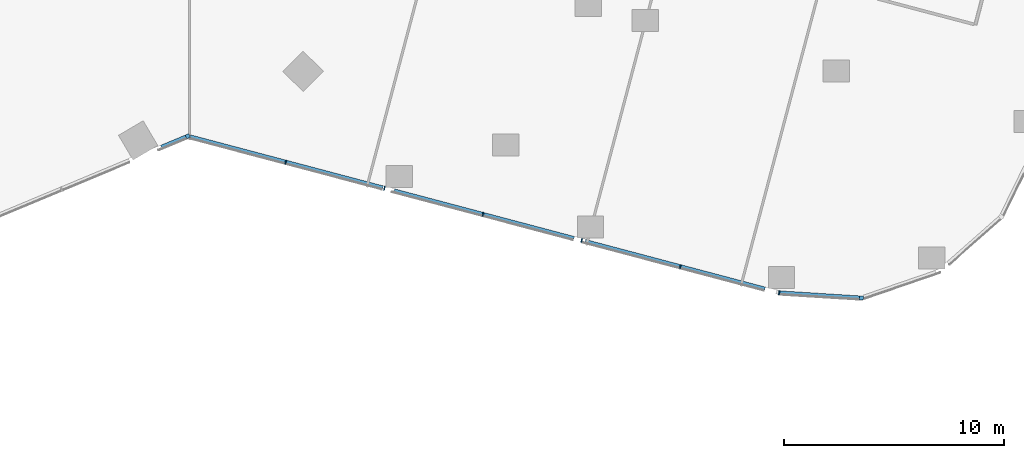
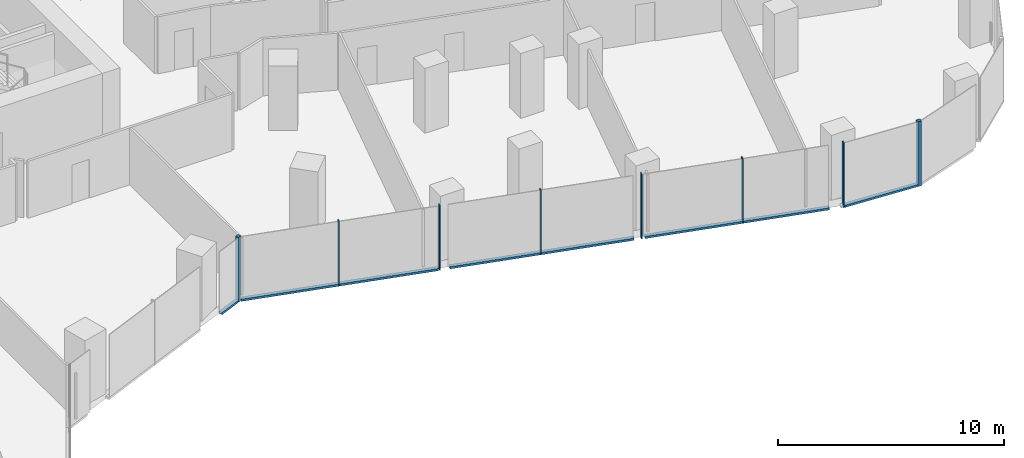
# One storey, part 9 of 35: 13 members, 3 elements without a shape of their own.
"""IFC4 building model written with IfcOpenShell, lengths in metres."""

from ifc_helpers import new_model, si_unit, direction, frame, origin, origin_2d, place, context, subcontext, project, spatial, rectangle, extrude, material, material_profile, profile_set, type_object, element, aggregate, save


model = new_model("IFC4")

# Units and contexts
model_context = context("Model", 3, precision=1e-05, world=origin(), true_north=direction((0.0, 1.0)))
body_context = subcontext(model_context, "Body", "Model", "MODEL_VIEW")
ifc_project = project(units=[si_unit("LENGTHUNIT", "METRE"), si_unit("AREAUNIT", "SQUARE_METRE"), si_unit("VOLUMEUNIT", "CUBIC_METRE"), si_unit("PLANEANGLEUNIT", "RADIAN"), si_unit("MASSUNIT", "GRAM", prefix="KILO")], contexts=[model_context])

# Site, building, storey
site_placement = place(None, origin())
site = spatial("IfcSite", under=ifc_project, at=site_placement, CompositionType="ELEMENT")
building_placement = place(site_placement, origin())
building = spatial("IfcBuilding", under=site, at=building_placement, Name="Orlundy Tower", CompositionType="ELEMENT")
storey_placement = place(building_placement, frame((0.0, 0.0, 116.199951171875)))
storey = spatial("IfcBuildingStorey", under=building, at=storey_placement, Name="L29", CompositionType="ELEMENT", Elevation=116.199951171875)

# Curtain wall, member
ifc_material_1 = material(Name="Aluminium bronze anodised", Category="aluminium")
curtain_wall_type = type_object("IfcCurtainWallType", Name="CW1 wall", PredefinedType="NOTDEFINED", material=ifc_material_1)
curtain_wall_1_placement = place(storey_placement, origin())
curtain_wall_1 = element("IfcCurtainWall", 1, at=curtain_wall_1_placement, inside=storey, type_object=curtain_wall_type, Name="CW1 run 01", PredefinedType="NOTDEFINED")
ifc_material_2 = material(Name="Aluminium bronze anodised", Category="aluminium")
ifc_material_profile_1 = material_profile(ifc_material_2, rectangle(XDim=0.179931640625, YDim=0.179931640625, at=origin_2d()), Name="CW1 corner post 180x180")
ifc_profile_set_1 = profile_set([ifc_material_profile_1], Name="Aluminium bronze anodised")
member_type_1 = type_object("IfcMemberType", Name="CW1 corner post 180x180", PredefinedType="MULLION", material=ifc_profile_set_1)
member_1_placement = place(storey_placement, frame((17.32861328125, -25.371826171875, -0.39990234375), z_axis=(0.0, 0.0, 1.0), x_axis=(0.385377262048, -0.922759105019, 0.0)))
member_1 = element("IfcMember", 2, at=member_1_placement, type_object=member_type_1, Name="CW1 mullion 7", PredefinedType="MULLION", context=body_context, shape_type="SweptSolid", body=[
    extrude(rectangle(XDim=0.179931640625, YDim=0.179931640625, at=origin_2d()), origin(), (0.0, 0.0, 1.0), 3.5),
])

curtain_wall_2_placement = place(storey_placement, origin())
curtain_wall_2 = element("IfcCurtainWall", 3, at=curtain_wall_2_placement, inside=storey, type_object=curtain_wall_type, Name="CW1 run 027", PredefinedType="NOTDEFINED")
member_2_placement = place(storey_placement, frame((47.892333984375, -32.712890625, -0.39990234375), z_axis=(0.0, 0.0, 1.0), x_axis=(-0.06257980311, -0.998039963249, 0.0)))
member_2 = element("IfcMember", 4, at=member_2_placement, type_object=member_type_1, Name="CW1 mullion 68", PredefinedType="MULLION", context=body_context, shape_type="SweptSolid", body=[
    extrude(rectangle(XDim=0.179931640625, YDim=0.179931640625, at=origin_2d()), origin(), (0.0, 0.0, 1.0), 3.5),
])

# Curtain wall, members
curtain_wall_3_placement = place(storey_placement, origin())
curtain_wall_3 = element("IfcCurtainWall", 5, at=curtain_wall_3_placement, inside=storey, type_object=curtain_wall_type, Name="CW1 run 00", PredefinedType="NOTDEFINED")
ifc_material_3 = material(Name="Aluminium bronze anodised", Category="aluminium")
ifc_material_profile_2 = material_profile(ifc_material_3, rectangle(XDim=0.179931640625, YDim=0.050048828125, at=origin_2d()), Name="CW1 mullion 50x180")
ifc_profile_set_2 = profile_set([ifc_material_profile_2], Name="Aluminium bronze anodised")
member_type_2 = type_object("IfcMemberType", Name="CW1 mullion 50x180", PredefinedType="MULLION", material=ifc_profile_set_2)
member_3_placement = place(storey_placement, frame((44.16552734375, -32.479248046875, -0.39990234375), z_axis=(0.0, 0.0, 1.0), x_axis=(-0.160065696582, -0.987106363457, 0.0)))
member_3 = element("IfcMember", 6, at=member_3_placement, type_object=member_type_2, Name="CW1 mullion 1", PredefinedType="MULLION", context=body_context, shape_type="SweptSolid", body=[
    extrude(rectangle(XDim=0.179931640625, YDim=0.050048828125, at=origin_2d()), origin(), (0.0, 0.0, 1.0), 3.5),
])
member_4_placement = place(storey_placement, frame((39.6806640625, -31.29150390625, -0.39990234375), z_axis=(0.0, 0.0, 1.0), x_axis=(-0.256011270968, -0.966673796654, 0.0)))
member_4 = element("IfcMember", 7, at=member_4_placement, type_object=member_type_2, Name="CW1 mullion 2", PredefinedType="MULLION", context=body_context, shape_type="SweptSolid", body=[
    extrude(rectangle(XDim=0.179931640625, YDim=0.050048828125, at=origin_2d()), origin(), (0.0, 0.0, 1.0), 3.5),
])
member_5_placement = place(storey_placement, frame((35.204345703125, -30.10595703125, -0.39990234375), z_axis=(0.0, 0.0, 1.0), x_axis=(-0.256011270968, -0.966673796654, 0.0)))
member_5 = element("IfcMember", 8, at=member_5_placement, type_object=member_type_2, Name="CW1 mullion 3", PredefinedType="MULLION", context=body_context, shape_type="SweptSolid", body=[
    extrude(rectangle(XDim=0.179931640625, YDim=0.050048828125, at=origin_2d()), origin(), (0.0, 0.0, 1.0), 3.5),
])
member_6_placement = place(storey_placement, frame((30.72802734375, -28.92041015625, -0.39990234375), z_axis=(0.0, 0.0, 1.0), x_axis=(-0.256011270968, -0.966673796654, 0.0)))
member_6 = element("IfcMember", 9, at=member_6_placement, type_object=member_type_2, Name="CW1 mullion 4", PredefinedType="MULLION", context=body_context, shape_type="SweptSolid", body=[
    extrude(rectangle(XDim=0.179931640625, YDim=0.050048828125, at=origin_2d()), origin(), (0.0, 0.0, 1.0), 3.5),
])
member_7_placement = place(storey_placement, frame((26.251708984375, -27.735107421875, -0.39990234375), z_axis=(0.0, 0.0, 1.0), x_axis=(-0.256011270968, -0.966673796654, 0.0)))
member_7 = element("IfcMember", 10, at=member_7_placement, type_object=member_type_2, Name="CW1 mullion 5", PredefinedType="MULLION", context=body_context, shape_type="SweptSolid", body=[
    extrude(rectangle(XDim=0.179931640625, YDim=0.050048828125, at=origin_2d()), origin(), (0.0, 0.0, 1.0), 3.5),
])
member_8_placement = place(storey_placement, frame((21.775390625, -26.549560546875, -0.39990234375), z_axis=(0.0, 0.0, 1.0), x_axis=(-0.256011270968, -0.966673796654, 0.0)))
member_8 = element("IfcMember", 11, at=member_8_placement, type_object=member_type_2, Name="CW1 mullion 6", PredefinedType="MULLION", context=body_context, shape_type="SweptSolid", body=[
    extrude(rectangle(XDim=0.179931640625, YDim=0.050048828125, at=origin_2d()), origin(), (0.0, 0.0, 1.0), 3.5),
])
ifc_material_4 = material(Name="Aluminium bronze anodised", Category="aluminium")
ifc_material_profile_3 = material_profile(ifc_material_4, rectangle(XDim=0.179931640625, YDim=0.1201171875, at=origin_2d()), Name="CW1 transom 180x120")
ifc_profile_set_3 = profile_set([ifc_material_profile_3], Name="Aluminium bronze anodised")
member_type_3 = type_object("IfcMemberType", Name="CW1 transom 180x120", PredefinedType="USERDEFINED", material=ifc_profile_set_3)
member_9_placement = place(storey_placement, frame((43.51904296875, -32.30810546875, -0.33984375), z_axis=(-0.966671340271, 0.256020545854, 0.0), x_axis=(-0.256020545854, -0.966671340271, 0.0)))
member_9 = element("IfcMember", 12, at=member_9_placement, type_object=member_type_3, Name="CW1 transom", ObjectType="TRANSOM", PredefinedType="USERDEFINED", context=body_context, shape_type="SweptSolid", body=[
    extrude(rectangle(XDim=0.179931640625, YDim=0.1201171875, at=origin_2d()), origin(), (0.0, 0.0, 1.0), 8.441162109375),
])
member_10_placement = place(storey_placement, frame((34.85205078125, -30.0126953125, -0.33984375), z_axis=(-0.9666761779, 0.256002279443, 0.0), x_axis=(-0.256002279443, -0.9666761779, 0.0)))
member_10 = element("IfcMember", 13, at=member_10_placement, type_object=member_type_3, Name="CW1 transom", ObjectType="TRANSOM", PredefinedType="USERDEFINED", context=body_context, shape_type="SweptSolid", body=[
    extrude(rectangle(XDim=0.179931640625, YDim=0.1201171875, at=origin_2d()), origin(), (0.0, 0.0, 1.0), 8.43994140625),
])
member_11_placement = place(storey_placement, frame((26.18408203125, -27.717041015625, -0.33984375), z_axis=(-0.966675575207, 0.25600455523, 0.0), x_axis=(-0.25600455523, -0.966675575207, 0.0)))
member_11 = element("IfcMember", 14, at=member_11_placement, type_object=member_type_3, Name="CW1 transom", ObjectType="TRANSOM", PredefinedType="USERDEFINED", context=body_context, shape_type="SweptSolid", body=[
    extrude(rectangle(XDim=0.179931640625, YDim=0.1201171875, at=origin_2d()), origin(), (0.0, 0.0, 1.0), 9.04736328125),
])
aggregate(curtain_wall_3, [member_3, member_4, member_5, member_6, member_7, member_8, member_9, member_10, member_11])

# Member
member_12_placement = place(storey_placement, frame((17.245361328125, -25.406494140625, -0.33984375), z_axis=(-0.922718263349, -0.385475040025, 0.0), x_axis=(0.385475040025, -0.922718263349, 0.0)))
member_12 = element("IfcMember", 15, at=member_12_placement, type_object=member_type_3, Name="CW1 transom", ObjectType="TRANSOM", PredefinedType="USERDEFINED", context=body_context, shape_type="SweptSolid", body=[
    extrude(rectangle(XDim=0.179931640625, YDim=0.1201171875, at=origin_2d()), origin(), (0.0, 0.0, 1.0), 1.209716796875),
])

aggregate(curtain_wall_1, [member_1, member_12])

member_13_placement = place(storey_placement, frame((47.802490234375, -32.707275390625, -0.33984375), z_axis=(-0.998042590698, 0.062537885736, 0.0), x_axis=(-0.062537885736, -0.998042590698, 0.0)))
member_13 = element("IfcMember", 16, at=member_13_placement, type_object=member_type_3, Name="CW1 transom", ObjectType="TRANSOM", PredefinedType="USERDEFINED", context=body_context, shape_type="SweptSolid", body=[
    extrude(rectangle(XDim=0.179931640625, YDim=0.1201171875, at=origin_2d()), origin(), (0.0, 0.0, 1.0), 3.618896484375),
])

aggregate(curtain_wall_2, [member_2, member_13])

save(model, "model.ifc")
